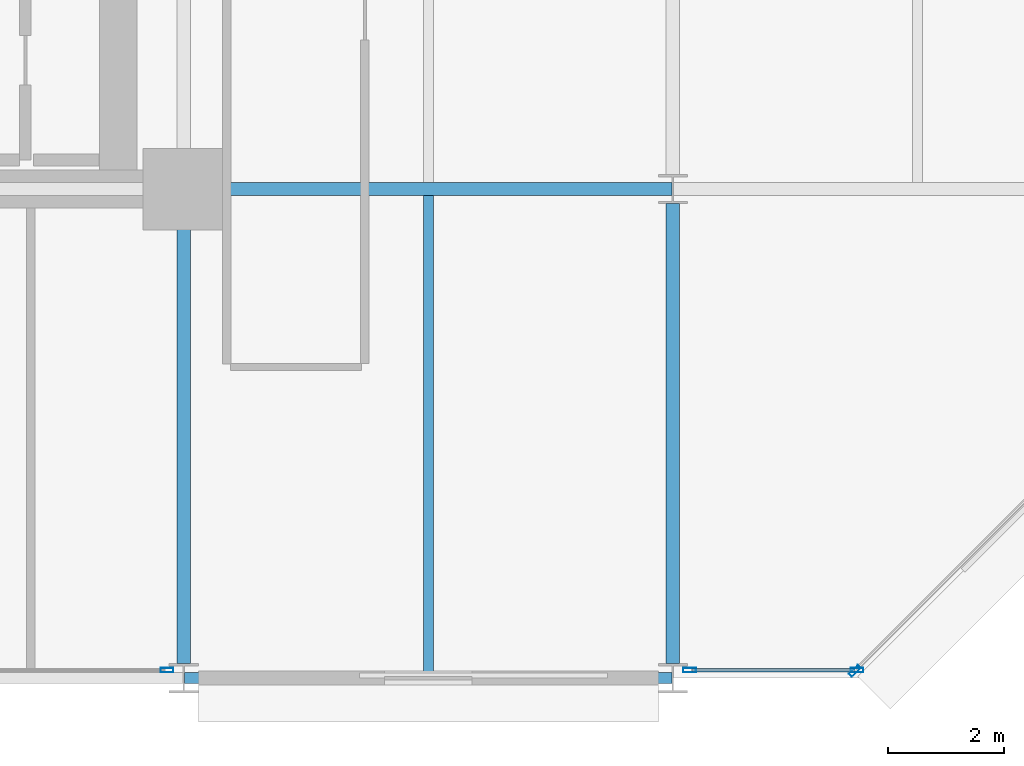
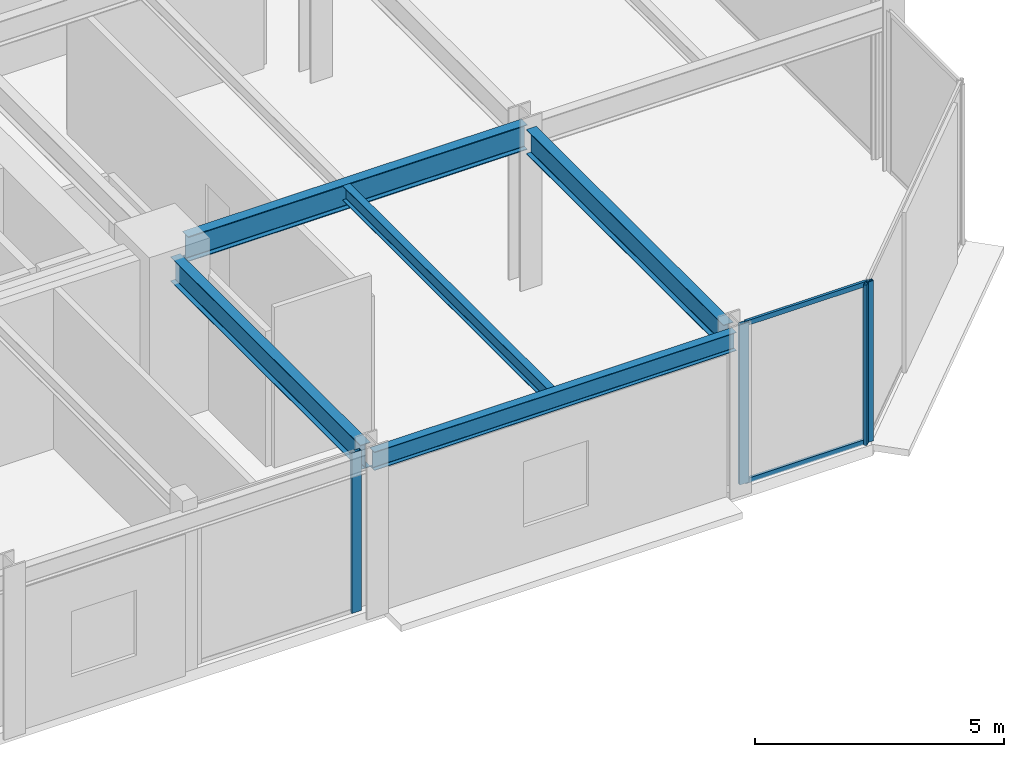
# One storey, part 9 of 25: 6 members, 5 beams, 3 elements without a shape of their own.
"""IFC4 building model written with IfcOpenShell, lengths in metres."""

from ifc_helpers import new_model, si_unit, direction, frame, origin, origin_2d, place, context, subcontext, project, spatial, hollow_rectangle, i_section, extrude, material, layer, layer_set, material_profile, profile_set, type_object, element, aggregate, save


model = new_model("IFC4")

# Units and contexts
model_context = context("Model", 3, precision=1e-05, world=origin(), true_north=direction((0.0, 1.0)))
body_context = subcontext(model_context, "Body", "Model", "MODEL_VIEW")
ifc_project = project(units=[si_unit("LENGTHUNIT", "METRE"), si_unit("AREAUNIT", "SQUARE_METRE"), si_unit("VOLUMEUNIT", "CUBIC_METRE"), si_unit("PLANEANGLEUNIT", "RADIAN"), si_unit("MASSUNIT", "GRAM", prefix="KILO")], contexts=[model_context])

# Site, building, storey
site_placement = place(None, origin())
site = spatial("IfcSite", under=ifc_project, at=site_placement, CompositionType="ELEMENT")
building_placement = place(site_placement, origin())
building = spatial("IfcBuilding", under=site, at=building_placement, Name="Nerrivon Quay Data Exchange", CompositionType="ELEMENT")
storey_placement = place(building_placement, frame((0.0, 0.0, 54.199951171875)))
storey = spatial("IfcBuildingStorey", under=building, at=storey_placement, Name="L12", CompositionType="ELEMENT", Elevation=54.199951171875)

# Beams
ifc_material_1 = material(Name="Steel Grade 350", Category="steel")
ifc_material_profile_1 = material_profile(ifc_material_1, i_section(OverallWidth=0.22900390625, OverallDepth=0.612060546875, WebThickness=0.011962890625, FlangeThickness=0.01953125, FilletRadius=0.013916015625, at=origin_2d()), Name="610UB125")
ifc_profile_set_1 = profile_set([ifc_material_profile_1], Name="Steel Grade 350")
beam_type_1 = type_object("IfcBeamType", Name="BM-G1-610UB125", PredefinedType="BEAM", material=ifc_profile_set_1)
beam_1_placement = place(storey_placement, frame((34.139892578125, 8.39990234375, 3.619140625), z_axis=(1.0, 0.0, 0.0), x_axis=(0.0, 1.0, 0.0)))
element("IfcBeam", 1, at=beam_1_placement, inside=storey, type_object=beam_type_1, Name="L12 EW Girder Y=8.4 (33.6..42.0)", PredefinedType="BEAM", context=body_context, shape_type="SweptSolid", body=[
    extrude(i_section(OverallWidth=0.22900390625, OverallDepth=0.612060546875, WebThickness=0.011962890625, FlangeThickness=0.01953125, FilletRadius=0.013916015625, at=origin_2d()), origin(), (0.0, 0.0, 1.0), 7.84619140625),
])
ifc_material_profile_2 = material_profile(ifc_material_1, i_section(OverallWidth=0.22802734375, OverallDepth=0.60205078125, WebThickness=0.010498046875, FlangeThickness=0.014892578125, FilletRadius=0.013916015625, at=origin_2d()), Name="610UB101")
ifc_profile_set_2 = profile_set([ifc_material_profile_2], Name="Steel Grade 350")
beam_type_2 = type_object("IfcBeamType", Name="BM-G2-610UB101", PredefinedType="BEAM", material=ifc_profile_set_2)
beam_2_placement = place(storey_placement, frame((33.60009765625, 0.25, 3.6240234375), z_axis=(0.0, 1.0, 0.0), x_axis=(-1.0, 0.0, 0.0)))
element("IfcBeam", 2, at=beam_2_placement, inside=storey, type_object=beam_type_2, Name="L12 NS Girder X=33.6 (0.0..8.4)", PredefinedType="BEAM", context=body_context, shape_type="SweptSolid", body=[
    extrude(i_section(OverallWidth=0.22802734375, OverallDepth=0.60205078125, WebThickness=0.010498046875, FlangeThickness=0.014892578125, FilletRadius=0.013916015625, at=origin_2d()), origin(), (0.0, 0.0, 1.0), 7.610107421875),
])
beam_3_placement = place(storey_placement, frame((42.0, 0.25, 3.6240234375), z_axis=(0.0, 1.0, 0.0), x_axis=(-1.0, 0.0, 0.0)))
element("IfcBeam", 3, at=beam_3_placement, inside=storey, type_object=beam_type_2, Name="L12 NS Girder X=42.0 (0.0..8.4)", PredefinedType="BEAM", context=body_context, shape_type="SweptSolid", body=[
    extrude(i_section(OverallWidth=0.22802734375, OverallDepth=0.60205078125, WebThickness=0.010498046875, FlangeThickness=0.014892578125, FilletRadius=0.013916015625, at=origin_2d()), origin(), (0.0, 0.0, 1.0), 7.89990234375),
])
ifc_material_profile_3 = material_profile(ifc_material_1, i_section(OverallWidth=0.172119140625, OverallDepth=0.35888671875, WebThickness=0.008056640625, FlangeThickness=0.012939453125, FilletRadius=0.011474609375, at=origin_2d()), Name="360UB56.7")
ifc_profile_set_3 = profile_set([ifc_material_profile_3], Name="Steel Grade 350")
beam_type_3 = type_object("IfcBeamType", Name="BM-J3-360UB57", PredefinedType="JOIST", material=ifc_profile_set_3)
beam_4_placement = place(storey_placement, frame((37.800048828125, 0.094970703125, 3.74560546875), z_axis=(0.0, 1.0, 0.0), x_axis=(-1.0, 0.0, 0.0)))
element("IfcBeam", 4, at=beam_4_placement, inside=storey, type_object=beam_type_3, Name="L12 Secondary Joist X=37.8 (0.0..8.4)", PredefinedType="JOIST", context=body_context, shape_type="SweptSolid", body=[
    extrude(i_section(OverallWidth=0.172119140625, OverallDepth=0.35888671875, WebThickness=0.008056640625, FlangeThickness=0.012939453125, FilletRadius=0.011474609375, at=origin_2d()), origin(), (0.0, 0.0, 1.0), 8.1904296875),
])
ifc_material_profile_4 = material_profile(ifc_material_1, i_section(OverallWidth=0.18994140625, OverallDepth=0.4541015625, WebThickness=0.008544921875, FlangeThickness=0.0126953125, FilletRadius=0.011474609375, at=origin_2d()), Name="460UB67.1")
ifc_profile_set_4 = profile_set([ifc_material_profile_4], Name="Steel Grade 350")
beam_type_4 = type_object("IfcBeamType", Name="BM-SP1-460UB67", PredefinedType="SPANDREL", material=ifc_profile_set_4)
beam_5_placement = place(storey_placement, frame((33.614013671875, 0.0, 3.697998046875), z_axis=(1.0, 0.0, 0.0), x_axis=(0.0, 1.0, 0.0)))
element("IfcBeam", 5, at=beam_5_placement, inside=storey, type_object=beam_type_4, Name="L12 EW Girder Y=0.0 (33.6..42.0)", PredefinedType="SPANDREL", context=body_context, shape_type="SweptSolid", body=[
    extrude(i_section(OverallWidth=0.18994140625, OverallDepth=0.4541015625, WebThickness=0.008544921875, FlangeThickness=0.0126953125, FilletRadius=0.011474609375, at=origin_2d()), origin(), (0.0, 0.0, 1.0), 8.3720703125),
])

# Curtain wall, member
ifc_material_2 = material(Name="Anodised aluminium 6063-T6", Category="aluminium")
ifc_layer = layer(ifc_material_2, 0.219970703125)
ifc_layer_set = layer_set([ifc_layer], Name="Anodised aluminium 6063-T6")
curtain_wall_type = type_object("IfcCurtainWallType", Name="CW-SYS-01", PredefinedType="NOTDEFINED", material=ifc_layer_set)
curtain_wall_1_placement = place(storey_placement, origin())
curtain_wall_1 = element("IfcCurtainWall", 6, at=curtain_wall_1_placement, inside=storey, type_object=curtain_wall_type, Name="L12 Unitised Curtain Wall 1", PredefinedType="NOTDEFINED")
ifc_material_profile_5 = material_profile(ifc_material_2, hollow_rectangle(XDim=0.074951171875, YDim=0.219970703125, WallThickness=0.00390625, at=origin_2d()), Name="ALU-MULL-220x75")
ifc_profile_set_5 = profile_set([ifc_material_profile_5], Name="Anodised aluminium 6063-T6")
member_type_1 = type_object("IfcMemberType", Name="CWM-220x75", PredefinedType="MULLION", material=ifc_profile_set_5)
member_1_placement = place(storey_placement, frame((45.12744140625, 0.12548828125, 0.0), z_axis=(0.0, 0.0, 1.0), x_axis=(0.707106781187, -0.707106781187, 0.0)))
member_1 = element("IfcMember", 7, at=member_1_placement, type_object=member_type_1, Name="CW01 mullion 2", PredefinedType="MULLION", context=body_context, shape_type="SweptSolid", body=[
    extrude(hollow_rectangle(XDim=0.074951171875, YDim=0.219970703125, WallThickness=0.00390625, at=origin_2d()), origin(), (0.0, 0.0, 1.0), 3.925048828125),
])
aggregate(curtain_wall_1, [member_1])

# Curtain wall, members
curtain_wall_2_placement = place(storey_placement, origin())
curtain_wall_2 = element("IfcCurtainWall", 8, at=curtain_wall_2_placement, inside=storey, type_object=curtain_wall_type, Name="L12 Unitised Curtain Wall 2", PredefinedType="NOTDEFINED")
member_2_placement = place(storey_placement, frame((45.16259765625, 0.139892578125, 0.0), z_axis=(0.0, 0.0, 1.0), x_axis=(0.0, -1.0, 0.0)))
member_2 = element("IfcMember", 9, at=member_2_placement, type_object=member_type_1, Name="CW01 mullion 1", PredefinedType="MULLION", context=body_context, shape_type="SweptSolid", body=[
    extrude(hollow_rectangle(XDim=0.074951171875, YDim=0.219970703125, WallThickness=0.00390625, at=origin_2d()), origin(), (0.0, 0.0, 1.0), 3.925048828125),
])
member_3_placement = place(storey_placement, frame((42.28759765625, 0.139892578125, 0.0), z_axis=(0.0, 0.0, 1.0), x_axis=(0.0, -1.0, 0.0)))
member_3 = element("IfcMember", 10, at=member_3_placement, type_object=member_type_1, Name="CW01 mullion 2", PredefinedType="MULLION", context=body_context, shape_type="SweptSolid", body=[
    extrude(hollow_rectangle(XDim=0.074951171875, YDim=0.219970703125, WallThickness=0.00390625, at=origin_2d()), origin(), (0.0, 0.0, 1.0), 3.925048828125),
])

# Curtain wall, member
curtain_wall_3_placement = place(storey_placement, origin())
curtain_wall_3 = element("IfcCurtainWall", 11, at=curtain_wall_3_placement, inside=storey, type_object=curtain_wall_type, Name="L12 Unitised Curtain Wall 4", PredefinedType="NOTDEFINED")
member_4_placement = place(storey_placement, frame((33.3125, 0.139892578125, 0.0), z_axis=(0.0, 0.0, 1.0), x_axis=(0.0, -1.0, 0.0)))
member_4 = element("IfcMember", 12, at=member_4_placement, type_object=member_type_1, Name="CW01 mullion 1", PredefinedType="MULLION", context=body_context, shape_type="SweptSolid", body=[
    extrude(hollow_rectangle(XDim=0.074951171875, YDim=0.219970703125, WallThickness=0.00390625, at=origin_2d()), origin(), (0.0, 0.0, 1.0), 3.925048828125),
])
aggregate(curtain_wall_3, [member_4])

# Member
ifc_material_profile_6 = material_profile(ifc_material_2, hollow_rectangle(XDim=0.06005859375, YDim=0.1201171875, WallThickness=0.003173828125, at=origin_2d()), Name="ALU-TRAN-120x60")
ifc_profile_set_6 = profile_set([ifc_material_profile_6], Name="Anodised aluminium 6063-T6")
member_type_2 = type_object("IfcMemberType", Name="CWT-120x60", PredefinedType="USERDEFINED", material=ifc_profile_set_6)
member_5_placement = place(storey_placement, frame((45.125, 0.139892578125, 0.032470703125), z_axis=(-1.0, 0.0, 0.0), x_axis=(0.0, -1.0, 0.0)))
member_5 = element("IfcMember", 13, at=member_5_placement, type_object=member_type_2, Name="CW01 transom 1.1", ObjectType="TRANSOM", PredefinedType="USERDEFINED", context=body_context, shape_type="SweptSolid", body=[
    extrude(hollow_rectangle(XDim=0.06005859375, YDim=0.1201171875, WallThickness=0.003173828125, at=origin_2d()), origin(), (0.0, 0.0, 1.0), 2.800048828125),
])

member_6_placement = place(storey_placement, frame((45.125, 0.139892578125, 3.892578125), z_axis=(-1.0, 0.0, 0.0), x_axis=(0.0, -1.0, 0.0)))
member_6 = element("IfcMember", 14, at=member_6_placement, type_object=member_type_2, Name="CW01 transom 1.2", ObjectType="TRANSOM", PredefinedType="USERDEFINED", context=body_context, shape_type="SweptSolid", body=[
    extrude(hollow_rectangle(XDim=0.06005859375, YDim=0.1201171875, WallThickness=0.003173828125, at=origin_2d()), origin(), (0.0, 0.0, 1.0), 2.800048828125),
])

aggregate(curtain_wall_2, [member_2, member_3, member_5, member_6])

save(model, "model.ifc")
